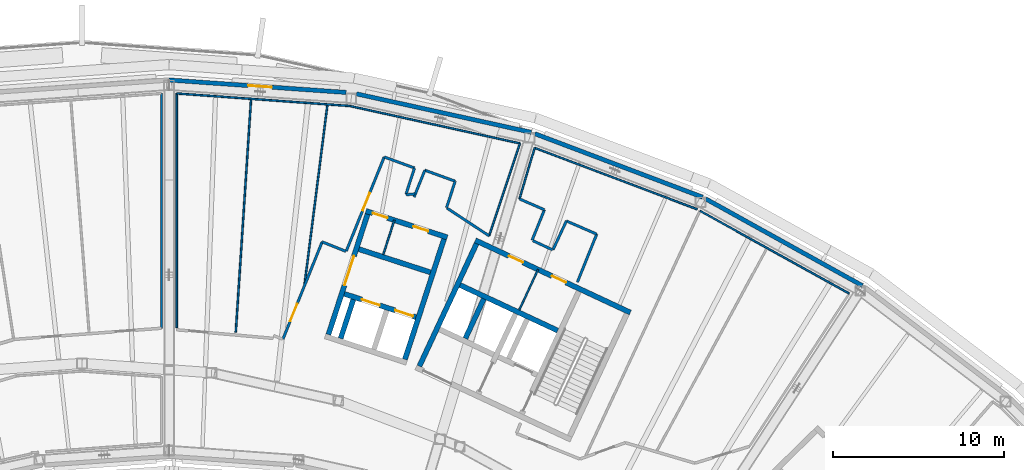
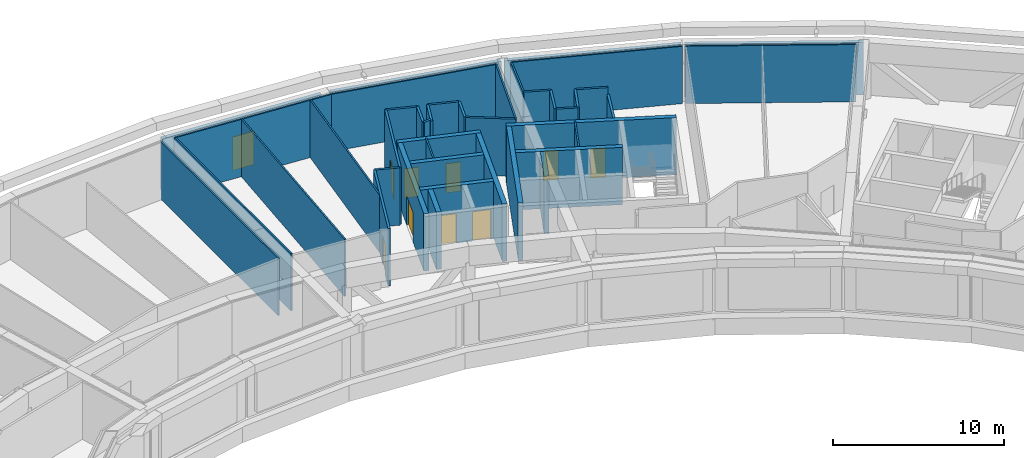
# One storey, part 11 of 24: 42 walls, 10 doors, 10 openings.
"""IFC4 building model written with IfcOpenShell, lengths in metres."""

from ifc_helpers import new_model, si_unit, direction, frame, frame_2d, origin, place, context, subcontext, project, spatial, rectangle, extrude, material, layer, layer_set, type_object, element, fill, save


model = new_model("IFC4")

# Units and contexts
model_context = context("Model", 3, precision=1e-05, world=origin(), true_north=direction((0.0, 1.0)))
body_context = subcontext(model_context, "Body", "Model", "MODEL_VIEW")
ifc_project = project(units=[si_unit("LENGTHUNIT", "METRE"), si_unit("AREAUNIT", "SQUARE_METRE"), si_unit("VOLUMEUNIT", "CUBIC_METRE"), si_unit("PLANEANGLEUNIT", "RADIAN"), si_unit("MASSUNIT", "GRAM", prefix="KILO")], contexts=[model_context])

# Site, building, storey
site_placement = place(None, origin())
site = spatial("IfcSite", under=ifc_project, at=site_placement, CompositionType="ELEMENT")
building_placement = place(site_placement, origin())
building = spatial("IfcBuilding", under=site, at=building_placement, Name="Tuul Gate Civic Tower", CompositionType="ELEMENT")
storey_placement = place(building_placement, frame((0.0, 0.0, 243.89990234375)))
storey = spatial("IfcBuildingStorey", under=building, at=storey_placement, Name="Plant and refuge floor 6", CompositionType="ELEMENT", Elevation=243.89990234375)

# Wall
ifc_material_1 = material(Name="Concrete C50/60", Category="concrete")
ifc_layer_1 = layer(ifc_material_1, 0.300048828125)
ifc_layer_set_1 = layer_set([ifc_layer_1], Name="Concrete C50/60")
wall_type_1 = type_object("IfcWallType", Name="Core wall C50/60", PredefinedType="SHEAR", material=ifc_layer_set_1)
wall_1_placement = place(storey_placement, frame((33.75, -0.873779296875, 0.0), z_axis=(0.0, 0.0, 1.0), x_axis=(-0.906300917592, 0.422632992999, 0.0)))
element("IfcWall", 1, at=wall_1_placement, inside=storey, type_object=wall_type_1, Name="Core wall", PredefinedType="SHEAR", context=body_context, shape_type="SweptSolid", body=[
    extrude(rectangle(XDim=6.300048828125, YDim=0.300048828125, at=frame_2d((3.14990234375, 0.0))), origin(), (0.0, 0.0, 1.0), 4.10009765625),
])

# Wall, openings, doors
wall_2_placement = place(storey_placement, frame((37.993408203125, 0.181884765625, 0.0), z_axis=(0.0, 0.0, 1.0), x_axis=(-0.906310338845, 0.422612789327, 0.0)))
wall_2 = element("IfcWall", 2, at=wall_2_placement, inside=storey, type_object=wall_type_1, Name="Core wall", PredefinedType="SHEAR", context=body_context, shape_type="SweptSolid", body=[
    extrude(rectangle(XDim=9.999755859375, YDim=0.300048828125, at=frame_2d((5.0, 0.0))), origin(), (0.0, 0.0, 1.0), 4.10009765625),
])
opening_1_placement = place(wall_2_placement, frame((4.14990234375, 0.0, 0.0)))
opening_1 = element("IfcOpeningElement", 3, at=opening_1_placement, cuts=wall_2, Name="Opening PB-D27", PredefinedType="OPENING", context=body_context, shape_type="SweptSolid", body=[
    extrude(rectangle(XDim=0.89990234375, YDim=2.10009765625, at=frame_2d((0.449951171875, 1.050048828125))), frame((0.0, 0.16015625, 0.0), z_axis=(0.0, -1.0, 0.0), x_axis=(1.0, 0.0, 0.0)), (0.0, 0.0, 1.0), 0.320068359375),
])
opening_2_placement = place(wall_2_placement, frame((6.925048828125, 0.0, 0.0)))
opening_2 = element("IfcOpeningElement", 4, at=opening_2_placement, cuts=wall_2, Name="Opening PB-D28", PredefinedType="OPENING", context=body_context, shape_type="SweptSolid", body=[
    extrude(rectangle(XDim=0.89990234375, YDim=2.10009765625, at=frame_2d((0.449951171875, 1.050048828125))), frame((0.0, 0.16015625, 0.0), z_axis=(0.0, -1.0, 0.0), x_axis=(1.0, 0.0, 0.0)), (0.0, 0.0, 1.0), 0.320068359375),
])
ifc_material_2 = material(Name="Timber door leaf", Category="wood")
door_type_1 = type_object("IfcDoorType", Name="Door D09", OperationType="NOTDEFINED", PredefinedType="DOOR", material=ifc_material_2)
door_1_placement = place(opening_1_placement, origin())
door_1 = element("IfcDoor", 5, at=door_1_placement, inside=storey, type_object=door_type_1, Name="Door PB-D27", OperationType="SINGLE_SWING_LEFT", OverallHeight=2.10009765625, OverallWidth=0.89990234375, PredefinedType="DOOR", context=body_context, shape_type="SweptSolid", body=[
    extrude(rectangle(XDim=0.89990234375, YDim=2.10009765625, at=frame_2d((0.449951171875, 1.050048828125))), frame((0.0, 0.02490234375, 0.0), z_axis=(0.0, -1.0, 0.0), x_axis=(1.0, 0.0, 0.0)), (0.0, 0.0, 1.0), 0.050048828125),
])
fill(opening_1, door_1)
door_2_placement = place(opening_2_placement, origin())
door_2 = element("IfcDoor", 6, at=door_2_placement, inside=storey, type_object=door_type_1, Name="Door PB-D28", OperationType="SINGLE_SWING_LEFT", OverallHeight=2.10009765625, OverallWidth=0.89990234375, PredefinedType="DOOR", context=body_context, shape_type="SweptSolid", body=[
    extrude(rectangle(XDim=0.89990234375, YDim=2.10009765625, at=frame_2d((0.449951171875, 1.050048828125))), frame((0.0, 0.02490234375, 0.0), z_axis=(0.0, -1.0, 0.0), x_axis=(1.0, 0.0, 0.0)), (0.0, 0.0, 1.0), 0.050048828125),
])
fill(opening_2, door_2)

# Walls
wall_3_placement = place(storey_placement, frame((28.349365234375, -1.33447265625, 0.0), z_axis=(0.0, 0.0, 1.0), x_axis=(0.422612891016, 0.906310291427, 0.0)))
element("IfcWall", 7, at=wall_3_placement, inside=storey, type_object=wall_type_1, Name="Core wall", PredefinedType="SHEAR", context=body_context, shape_type="SweptSolid", body=[
    extrude(rectangle(XDim=2.550048828125, YDim=0.300048828125, at=frame_2d((1.27490234375, 0.0))), origin(), (0.0, 0.0, 1.0), 4.10009765625),
])
wall_4_placement = place(storey_placement, frame((25.66455078125, -2.951416015625, 0.0), z_axis=(0.0, 0.0, 1.0), x_axis=(0.422582604137, 0.906324413596, 0.0)))
element("IfcWall", 8, at=wall_4_placement, inside=storey, type_object=wall_type_1, Name="Core wall", PredefinedType="SHEAR", context=body_context, shape_type="SweptSolid", body=[
    extrude(rectangle(XDim=7.89990234375, YDim=0.300048828125, at=frame_2d((3.949951171875, 0.0))), origin(), (0.0, 0.0, 1.0), 4.10009765625),
])
ifc_material_3 = material(Name="Gypsum board partition")
ifc_layer_2 = layer(ifc_material_3, 0.14990234375)
ifc_layer_set_2 = layer_set([ifc_layer_2], Name="Gypsum board partition")
wall_type_2 = type_object("IfcWallType", Name="Corridor wall P150", PredefinedType="PARTITIONING", material=ifc_layer_set_2)
wall_5_placement = place(storey_placement, frame((34.257080078125, 5.53564453125, 0.0), z_axis=(0.0, 0.0, 1.0), x_axis=(0.917244814441, -0.398323926448, 0.0)))
element("IfcWall", 9, at=wall_5_placement, inside=storey, type_object=wall_type_2, Name="p035", PredefinedType="PARTITIONING", context=body_context, shape_type="SweptSolid", body=[
    extrude(rectangle(XDim=1.931396484375, YDim=0.14990234375, at=frame_2d((0.9658203125, 0.0))), origin(), (0.0, 0.0, 1.0), 4.10009765625),
])
wall_6_placement = place(storey_placement, frame((33.4736328125, 3.85791015625, 0.0), z_axis=(0.0, 0.0, 1.0), x_axis=(0.422668797788, 0.906284219976, 0.0)))
element("IfcWall", 10, at=wall_6_placement, inside=storey, type_object=wall_type_2, Name="p036", PredefinedType="PARTITIONING", context=body_context, shape_type="SweptSolid", body=[
    extrude(rectangle(XDim=1.8505859375, YDim=0.14990234375, at=frame_2d((0.92529296875, 0.0))), origin(), (0.0, 0.0, 1.0), 4.10009765625),
])
wall_7_placement = place(storey_placement, frame((32.30322265625, 4.380615234375, 0.0), z_axis=(0.0, 0.0, 1.0), x_axis=(0.906400635072, -0.422419091356, 0.0)))
element("IfcWall", 11, at=wall_7_placement, inside=storey, type_object=wall_type_2, Name="p037", PredefinedType="PARTITIONING", context=body_context, shape_type="SweptSolid", body=[
    extrude(rectangle(XDim=1.260986328125, YDim=0.14990234375, at=frame_2d((0.63037109375, 0.0))), origin(), (0.0, 0.0, 1.0), 4.10009765625),
])
wall_8_placement = place(storey_placement, frame((32.253173828125, 4.41259765625, 0.0), z_axis=(0.0, 0.0, 1.0), x_axis=(0.373869435856, 0.92748134479, 0.0)))
element("IfcWall", 12, at=wall_8_placement, inside=storey, type_object=wall_type_2, Name="p038", PredefinedType="PARTITIONING", context=body_context, shape_type="SweptSolid", body=[
    extrude(rectangle(XDim=1.91796875, YDim=0.14990234375, at=frame_2d((0.958984375, 0.0))), origin(), (0.0, 0.0, 1.0), 4.10009765625),
])
wall_9_placement = place(storey_placement, frame((31.51220703125, 6.825439453125, 0.0), z_axis=(0.0, 0.0, 1.0), x_axis=(0.917275123751, -0.398254124081, 0.0)))
element("IfcWall", 13, at=wall_9_placement, inside=storey, type_object=wall_type_2, Name="p039", PredefinedType="PARTITIONING", context=body_context, shape_type="SweptSolid", body=[
    extrude(rectangle(XDim=1.5888671875, YDim=0.14990234375, at=frame_2d((0.79443359375, 0.0))), origin(), (0.0, 0.0, 1.0), 4.10009765625),
])
wall_10_placement = place(storey_placement, frame((27.253173828125, 6.3193359375, 0.0), z_axis=(0.0, 0.0, 1.0), x_axis=(0.308980368532, 0.951068415973, 0.0)))
element("IfcWall", 14, at=wall_10_placement, inside=storey, type_object=wall_type_2, Name="p041", PredefinedType="PARTITIONING", context=body_context, shape_type="SweptSolid", body=[
    extrude(rectangle(XDim=1.618896484375, YDim=0.14990234375, at=frame_2d((0.8095703125, 0.0))), origin(), (0.0, 0.0, 1.0), 4.10009765625),
])
wall_11_placement = place(storey_placement, frame((25.984130859375, 8.50341796875, 0.0), z_axis=(0.0, 0.0, 1.0), x_axis=(0.939800999029, -0.34172222963, 0.0)))
element("IfcWall", 15, at=wall_11_placement, inside=storey, type_object=wall_type_2, Name="p042", PredefinedType="PARTITIONING", context=body_context, shape_type="SweptSolid", body=[
    extrude(rectangle(XDim=1.8818359375, YDim=0.14990234375, at=frame_2d((0.94091796875, 0.0))), origin(), (0.0, 0.0, 1.0), 4.10009765625),
])
wall_12_placement = place(storey_placement, frame((25.351318359375, 6.935791015625, 0.0), z_axis=(0.0, 0.0, 1.0), x_axis=(0.373856059232, 0.927486736819, 0.0)))
element("IfcWall", 16, at=wall_12_placement, inside=storey, type_object=wall_type_2, Name="p043", PredefinedType="PARTITIONING", context=body_context, shape_type="SweptSolid", body=[
    extrude(rectangle(XDim=1.689453125, YDim=0.14990234375, at=frame_2d((0.8447265625, 0.0))), origin(), (0.0, 0.0, 1.0), 4.10009765625),
])
wall_13_placement = place(storey_placement, frame((24.888427734375, 7.065673828125, 0.0), z_axis=(0.0, 0.0, 1.0), x_axis=(0.994438264269, 0.105321121133, 0.0)))
element("IfcWall", 17, at=wall_13_placement, inside=storey, type_object=wall_type_2, Name="p044", PredefinedType="PARTITIONING", context=body_context, shape_type="SweptSolid", body=[
    extrude(rectangle(XDim=0.519287109375, YDim=0.14990234375, at=frame_2d((0.259765625, 0.0))), origin(), (0.0, 0.0, 1.0), 4.10009765625),
])
wall_14_placement = place(storey_placement, frame((27.266357421875, 6.293212890625, 0.0), z_axis=(0.0, 0.0, 1.0), x_axis=(0.835462956672, -0.549546766007, 0.0)))
element("IfcWall", 18, at=wall_14_placement, inside=storey, type_object=wall_type_2, Name="p045", PredefinedType="PARTITIONING", context=body_context, shape_type="SweptSolid", body=[
    extrude(rectangle(XDim=2.957763671875, YDim=0.14990234375, at=frame_2d((1.47900390625, 0.0))), origin(), (0.0, 0.0, 1.0), 4.10009765625),
])
wall_15_placement = place(storey_placement, frame((24.875244140625, 7.091796875, 0.0), z_axis=(0.0, 0.0, 1.0), x_axis=(0.308936061508, 0.951082809171, 0.0)))
element("IfcWall", 19, at=wall_15_placement, inside=storey, type_object=wall_type_2, Name="p046", PredefinedType="PARTITIONING", context=body_context, shape_type="SweptSolid", body=[
    extrude(rectangle(XDim=1.619140625, YDim=0.14990234375, at=frame_2d((0.8095703125, 0.0))), origin(), (0.0, 0.0, 1.0), 4.10009765625),
])
wall_16_placement = place(storey_placement, frame((23.6064453125, 9.27587890625, 0.0), z_axis=(0.0, 0.0, 1.0), x_axis=(0.939827515452, -0.341649295621, 0.0)))
element("IfcWall", 20, at=wall_16_placement, inside=storey, type_object=wall_type_2, Name="p047", PredefinedType="PARTITIONING", context=body_context, shape_type="SweptSolid", body=[
    extrude(rectangle(XDim=1.881591796875, YDim=0.14990234375, at=frame_2d((0.94091796875, 0.0))), origin(), (0.0, 0.0, 1.0), 4.10009765625),
])

# Wall, opening, door
wall_17_placement = place(storey_placement, frame((21.3876953125, 3.7744140625, 0.0), z_axis=(0.0, 0.0, 1.0), x_axis=(0.373880389975, 0.927476929089, 0.0)))
wall_17 = element("IfcWall", 21, at=wall_17_placement, inside=storey, type_object=wall_type_2, Name="p048", PredefinedType="PARTITIONING", context=body_context, shape_type="SweptSolid", body=[
    extrude(rectangle(XDim=5.93115234375, YDim=0.14990234375, at=frame_2d((2.965576171875, 0.0))), origin(), (0.0, 0.0, 1.0), 4.10009765625),
])
opening_3_placement = place(wall_17_placement, frame((2.56591796875, 0.0, 0.0)))
opening_3 = element("IfcOpeningElement", 22, at=opening_3_placement, cuts=wall_17, Name="Opening PB-D09", PredefinedType="OPENING", context=body_context, shape_type="SweptSolid", body=[
    extrude(rectangle(XDim=1.10009765625, YDim=2.10009765625, at=frame_2d((0.550048828125, 1.050048828125))), frame((0.0, 0.0849609375, 0.0), z_axis=(0.0, -1.0, 0.0), x_axis=(1.0, 0.0, 0.0)), (0.0, 0.0, 1.0), 0.169921875),
])
ifc_material_4 = material(Name="Timber door leaf", Category="wood")
door_type_2 = type_object("IfcDoorType", Name="Door D11", OperationType="NOTDEFINED", PredefinedType="DOOR", material=ifc_material_4)
door_3_placement = place(opening_3_placement, origin())
door_3 = element("IfcDoor", 23, at=door_3_placement, inside=storey, type_object=door_type_2, Name="Door PB-D09", OperationType="SINGLE_SWING_RIGHT", OverallHeight=2.10009765625, OverallWidth=1.10009765625, PredefinedType="DOOR", context=body_context, shape_type="SweptSolid", body=[
    extrude(rectangle(XDim=1.10009765625, YDim=2.10009765625, at=frame_2d((0.550048828125, 1.050048828125))), frame((0.0, 0.02490234375, 0.0), z_axis=(0.0, -1.0, 0.0), x_axis=(1.0, 0.0, 0.0)), (0.0, 0.0, 1.0), 0.050048828125),
])
fill(opening_3, door_3)

# Wall
wall_18_placement = place(storey_placement, frame((19.978271484375, 4.315185546875, 0.0), z_axis=(0.0, 0.0, 1.0), x_axis=(0.928578450258, -0.371136176781, 0.0)))
element("IfcWall", 24, at=wall_18_placement, inside=storey, type_object=wall_type_2, Name="p049", PredefinedType="PARTITIONING", context=body_context, shape_type="SweptSolid", body=[
    extrude(rectangle(XDim=1.488525390625, YDim=0.14990234375, at=frame_2d((0.744140625, 0.0))), origin(), (0.0, 0.0, 1.0), 4.10009765625),
])

# Wall, opening, door
wall_19_placement = place(storey_placement, frame((17.68896484375, -1.36328125, 0.0), z_axis=(0.0, 0.0, 1.0), x_axis=(0.373782416079, 0.927516417876, 0.0)))
wall_19 = element("IfcWall", 25, at=wall_19_placement, inside=storey, type_object=wall_type_2, Name="p050", PredefinedType="PARTITIONING", context=body_context, shape_type="SweptSolid", body=[
    extrude(rectangle(XDim=6.121337890625, YDim=0.14990234375, at=frame_2d((3.060546875, 0.0))), origin(), (0.0, 0.0, 1.0), 4.10009765625),
])
opening_4_placement = place(wall_19_placement, frame((1.122314453125, 0.0, 0.0)))
opening_4 = element("IfcOpeningElement", 26, at=opening_4_placement, cuts=wall_19, Name="Opening PB-D10", PredefinedType="OPENING", context=body_context, shape_type="SweptSolid", body=[
    extrude(rectangle(XDim=1.10009765625, YDim=2.10009765625, at=frame_2d((0.550048828125, 1.050048828125))), frame((0.0, 0.0849609375, 0.0), z_axis=(0.0, -1.0, 0.0), x_axis=(1.0, 0.0, 0.0)), (0.0, 0.0, 1.0), 0.169921875),
])
door_4_placement = place(opening_4_placement, origin())
door_4 = element("IfcDoor", 27, at=door_4_placement, inside=storey, type_object=door_type_2, Name="Door PB-D10", OperationType="SINGLE_SWING_LEFT", OverallHeight=2.10009765625, OverallWidth=1.10009765625, PredefinedType="DOOR", context=body_context, shape_type="SweptSolid", body=[
    extrude(rectangle(XDim=1.10009765625, YDim=2.10009765625, at=frame_2d((0.550048828125, 1.050048828125))), frame((0.0, 0.02490234375, 0.0), z_axis=(0.0, -1.0, 0.0), x_axis=(1.0, 0.0, 0.0)), (0.0, 0.0, 1.0), 0.050048828125),
])
fill(opening_4, door_4)

# Walls
ifc_material_5 = material(Name="Gypsum board partition")
ifc_layer_3 = layer(ifc_material_5, 0.14990234375)
ifc_layer_set_3 = layer_set([ifc_layer_3], Name="Gypsum board partition")
wall_type_3 = type_object("IfcWallType", Name="Corridor wall P150 3600 HIGH", PredefinedType="PARTITIONING", material=ifc_layer_set_3)
wall_20_placement = place(storey_placement, frame((34.8974609375, 1.957763671875, 0.0), z_axis=(0.0, 0.0, 1.0), x_axis=(0.373878807084, 0.927477567175, 0.0)))
element("IfcWall", 28, at=wall_20_placement, inside=storey, type_object=wall_type_3, Name="p034", PredefinedType="PARTITIONING", context=body_context, shape_type="SweptSolid", body=[
    extrude(rectangle(XDim=3.026611328125, YDim=0.14990234375, at=frame_2d((1.51318359375, 0.0))), origin(), (0.0, 0.0, 1.0), 3.60009765625),
])
ifc_material_6 = material(Name="Precast concrete C40/50", Category="concrete")
ifc_layer_4 = layer(ifc_material_6, 0.25)
ifc_layer_set_4 = layer_set([ifc_layer_4], Name="Precast concrete C40/50")
wall_type_4 = type_object("IfcWallType", Name="External wall", PredefinedType="STANDARD", material=ifc_layer_set_4)
wall_21_placement = place(storey_placement, frame((51.56103515625, 1.751953125, 0.0), z_axis=(0.0, 0.0, 1.0), x_axis=(-0.874629377912, 0.4847921733, 0.0)))
element("IfcWall", 29, at=wall_21_placement, inside=storey, type_object=wall_type_4, Name="External wall", PredefinedType="STANDARD", context=body_context, shape_type="SweptSolid", body=[
    extrude(rectangle(XDim=10.47998046875, YDim=0.25, at=frame_2d((5.239990234375, 0.0))), origin(), (0.0, 0.0, 1.0), 3.75),
])
wall_22_placement = place(storey_placement, frame((42.21875, 6.927978515625, 0.0), z_axis=(0.0, 0.0, 1.0), x_axis=(-0.935341215918, 0.353746815964, 0.0)))
element("IfcWall", 30, at=wall_22_placement, inside=storey, type_object=wall_type_4, Name="External wall", PredefinedType="STANDARD", context=body_context, shape_type="SweptSolid", body=[
    extrude(rectangle(XDim=10.489013671875, YDim=0.25, at=frame_2d((5.24462890625, 0.0))), origin(), (0.0, 0.0, 1.0), 3.75),
])
wall_23_placement = place(storey_placement, frame((32.202392578125, 10.71630859375, 0.0), z_axis=(0.0, 0.0, 1.0), x_axis=(-0.976564231464, 0.215226164361, 0.0)))
element("IfcWall", 31, at=wall_23_placement, inside=storey, type_object=wall_type_4, Name="External wall", PredefinedType="STANDARD", context=body_context, shape_type="SweptSolid", body=[
    extrude(rectangle(XDim=10.4677734375, YDim=0.25, at=frame_2d((5.23388671875, 0.0))), origin(), (0.0, 0.0, 1.0), 3.75),
])

# Wall, opening, door
wall_24_placement = place(storey_placement, frame((21.38330078125, 13.0498046875, 0.0), z_axis=(0.0, 0.0, 1.0), x_axis=(-0.997539608271, 0.070105134841, 0.0)))
wall_24 = element("IfcWall", 32, at=wall_24_placement, inside=storey, type_object=wall_type_4, Name="External wall", PredefinedType="STANDARD", context=body_context, shape_type="SweptSolid", body=[
    extrude(rectangle(XDim=10.3779296875, YDim=0.25, at=frame_2d((5.18896484375, 0.0))), origin(), (0.0, 0.0, 1.0), 3.75),
])
opening_5_placement = place(wall_24_placement, frame((4.35302734375, 0.0, 0.0)))
opening_5 = element("IfcOpeningElement", 33, at=opening_5_placement, cuts=wall_24, Name="Opening TD", PredefinedType="OPENING", context=body_context, shape_type="SweptSolid", body=[
    extrude(rectangle(XDim=1.39990234375, YDim=2.39990234375, at=frame_2d((0.699951171875, 1.199951171875))), frame((0.0, 0.135009765625, 0.0), z_axis=(0.0, -1.0, 0.0), x_axis=(1.0, 0.0, 0.0)), (0.0, 0.0, 1.0), 0.27001953125),
])
ifc_material_7 = material(Name="Glazed aluminium", Category="aluminium")
door_type_3 = type_object("IfcDoorType", Name="Terrace door", OperationType="DOUBLE_DOOR_SINGLE_SWING", PredefinedType="DOOR", material=ifc_material_7)
door_5_placement = place(opening_5_placement, frame((1.39990234375, 0.0, 0.0), z_axis=(0.0, 0.0, 1.0), x_axis=(-1.0, 0.0, 0.0)))
door_5 = element("IfcDoor", 34, at=door_5_placement, inside=storey, type_object=door_type_3, Name="Terrace door", OperationType="DOUBLE_DOOR_SINGLE_SWING", OverallHeight=2.39990234375, OverallWidth=1.39990234375, PredefinedType="DOOR", context=body_context, shape_type="SweptSolid", body=[
    extrude(rectangle(XDim=1.39990234375, YDim=2.39990234375, at=frame_2d((0.699951171875, 1.199951171875))), frame((0.0, 0.02490234375, 0.0), z_axis=(0.0, -1.0, 0.0), x_axis=(1.0, 0.0, 0.0)), (0.0, 0.0, 1.0), 0.050048828125),
])
fill(opening_5, door_5)

# Wall, openings, doors
ifc_material_8 = material(Name="Concrete C40/50", Category="concrete")
ifc_layer_5 = layer(ifc_material_8, 0.300048828125)
ifc_layer_set_5 = layer_set([ifc_layer_5], Name="Concrete C40/50")
wall_type_5 = type_object("IfcWallType", Name="Lift shaft wall C40/50", PredefinedType="STANDARD", material=ifc_layer_set_5)
wall_25_placement = place(storey_placement, frame((25.460693359375, -0.0859375, 0.0), z_axis=(0.0, 0.0, 1.0), x_axis=(-0.951063829732, 0.308994485023, 0.0)))
wall_25 = element("IfcWall", 35, at=wall_25_placement, inside=storey, type_object=wall_type_5, Name="Shaft wall", PredefinedType="STANDARD", context=body_context, shape_type="SweptSolid", body=[
    extrude(rectangle(XDim=4.400146484375, YDim=0.300048828125, at=frame_2d((2.2001953125, 0.0))), origin(), (0.0, 0.0, 1.0), 4.10009765625),
])
opening_6_placement = place(wall_25_placement, frame((0.175048828125, 0.0, 0.0)))
opening_6 = element("IfcOpeningElement", 36, at=opening_6_placement, cuts=wall_25, Name="Opening LD-H2", PredefinedType="OPENING", context=body_context, shape_type="SweptSolid", body=[
    extrude(rectangle(XDim=1.10009765625, YDim=2.10009765625, at=frame_2d((0.550048828125, 1.050048828125))), frame((0.0, 0.16015625, 0.0), z_axis=(0.0, -1.0, 0.0), x_axis=(1.0, 0.0, 0.0)), (0.0, 0.0, 1.0), 0.320068359375),
])
opening_7_placement = place(wall_25_placement, frame((2.22509765625, 0.0, 0.0)))
opening_7 = element("IfcOpeningElement", 37, at=opening_7_placement, cuts=wall_25, Name="Opening LD-H3", PredefinedType="OPENING", context=body_context, shape_type="SweptSolid", body=[
    extrude(rectangle(XDim=1.10009765625, YDim=2.10009765625, at=frame_2d((0.550048828125, 1.050048828125))), frame((0.0, 0.16015625, 0.0), z_axis=(0.0, -1.0, 0.0), x_axis=(1.0, 0.0, 0.0)), (0.0, 0.0, 1.0), 0.320068359375),
])
ifc_material_9 = material(Name="Stainless steel", Category="steel")
door_type_4 = type_object("IfcDoorType", Name="Landing door", OperationType="DOUBLE_DOOR_SLIDING", PredefinedType="DOOR", material=ifc_material_9)
door_6_placement = place(opening_6_placement, origin())
door_6 = element("IfcDoor", 38, at=door_6_placement, inside=storey, type_object=door_type_4, Name="High-rise lift H2 landing door", OperationType="DOUBLE_DOOR_SLIDING", OverallHeight=2.10009765625, OverallWidth=1.10009765625, PredefinedType="DOOR", context=body_context, shape_type="SweptSolid", body=[
    extrude(rectangle(XDim=1.10009765625, YDim=2.10009765625, at=frame_2d((0.550048828125, 1.050048828125))), frame((0.0, 0.02490234375, 0.0), z_axis=(0.0, -1.0, 0.0), x_axis=(1.0, 0.0, 0.0)), (0.0, 0.0, 1.0), 0.050048828125),
])
fill(opening_6, door_6)
door_7_placement = place(opening_7_placement, origin())
door_7 = element("IfcDoor", 39, at=door_7_placement, inside=storey, type_object=door_type_4, Name="High-rise lift H3 landing door", OperationType="DOUBLE_DOOR_SLIDING", OverallHeight=2.10009765625, OverallWidth=1.10009765625, PredefinedType="DOOR", context=body_context, shape_type="SweptSolid", body=[
    extrude(rectangle(XDim=1.10009765625, YDim=2.10009765625, at=frame_2d((0.550048828125, 1.050048828125))), frame((0.0, 0.02490234375, 0.0), z_axis=(0.0, -1.0, 0.0), x_axis=(1.0, 0.0, 0.0)), (0.0, 0.0, 1.0), 0.050048828125),
])
fill(opening_7, door_7)

# Wall
wall_26_placement = place(storey_placement, frame((26.310546875, 2.529541015625, 0.0), z_axis=(0.0, 0.0, 1.0), x_axis=(-0.951058531764, 0.30901079133, 0.0)))
element("IfcWall", 40, at=wall_26_placement, inside=storey, type_object=wall_type_5, Name="Shaft wall", PredefinedType="STANDARD", context=body_context, shape_type="SweptSolid", body=[
    extrude(rectangle(XDim=4.39990234375, YDim=0.300048828125, at=frame_2d((2.199951171875, 0.0))), origin(), (0.0, 0.0, 1.0), 4.10009765625),
])

# Wall, openings, doors
wall_27_placement = place(storey_placement, frame((27.29150390625, 4.57666015625, 0.0), z_axis=(0.0, 0.0, 1.0), x_axis=(-0.951067792613, 0.308982287281, 0.0)))
wall_27 = element("IfcWall", 41, at=wall_27_placement, inside=storey, type_object=wall_type_5, Name="Shaft wall", PredefinedType="STANDARD", context=body_context, shape_type="SweptSolid", body=[
    extrude(rectangle(XDim=5.0, YDim=0.300048828125, at=frame_2d((2.5, 0.0))), origin(), (0.0, 0.0, 1.0), 4.10009765625),
])
opening_8_placement = place(wall_27_placement, frame((1.175048828125, 0.0, 0.0)))
opening_8 = element("IfcOpeningElement", 42, at=opening_8_placement, cuts=wall_27, Name="Opening PB-D29", PredefinedType="OPENING", context=body_context, shape_type="SweptSolid", body=[
    extrude(rectangle(XDim=0.89990234375, YDim=2.10009765625, at=frame_2d((0.449951171875, 1.050048828125))), frame((0.0, 0.16015625, 0.0), z_axis=(0.0, -1.0, 0.0), x_axis=(1.0, 0.0, 0.0)), (0.0, 0.0, 1.0), 0.320068359375),
])
opening_9_placement = place(wall_27_placement, frame((3.675048828125, 0.0, 0.0)))
opening_9 = element("IfcOpeningElement", 43, at=opening_9_placement, cuts=wall_27, Name="Opening PB-D30", PredefinedType="OPENING", context=body_context, shape_type="SweptSolid", body=[
    extrude(rectangle(XDim=0.89990234375, YDim=2.10009765625, at=frame_2d((0.449951171875, 1.050048828125))), frame((0.0, 0.16015625, 0.0), z_axis=(0.0, -1.0, 0.0), x_axis=(1.0, 0.0, 0.0)), (0.0, 0.0, 1.0), 0.320068359375),
])
door_8_placement = place(opening_8_placement, origin())
door_8 = element("IfcDoor", 44, at=door_8_placement, inside=storey, type_object=door_type_1, Name="Door PB-D29", OperationType="SINGLE_SWING_LEFT", OverallHeight=2.10009765625, OverallWidth=0.89990234375, PredefinedType="DOOR", context=body_context, shape_type="SweptSolid", body=[
    extrude(rectangle(XDim=0.89990234375, YDim=2.10009765625, at=frame_2d((0.449951171875, 1.050048828125))), frame((0.0, 0.02490234375, 0.0), z_axis=(0.0, -1.0, 0.0), x_axis=(1.0, 0.0, 0.0)), (0.0, 0.0, 1.0), 0.050048828125),
])
fill(opening_8, door_8)
door_9_placement = place(opening_9_placement, origin())
door_9 = element("IfcDoor", 45, at=door_9_placement, inside=storey, type_object=door_type_1, Name="Door PB-D30", OperationType="SINGLE_SWING_RIGHT", OverallHeight=2.10009765625, OverallWidth=0.89990234375, PredefinedType="DOOR", context=body_context, shape_type="SweptSolid", body=[
    extrude(rectangle(XDim=0.89990234375, YDim=2.10009765625, at=frame_2d((0.449951171875, 1.050048828125))), frame((0.0, 0.02490234375, 0.0), z_axis=(0.0, -1.0, 0.0), x_axis=(1.0, 0.0, 0.0)), (0.0, 0.0, 1.0), 0.050048828125),
])
fill(opening_9, door_9)

# Walls
wall_28_placement = place(storey_placement, frame((24.815185546875, -2.557373046875, 0.0), z_axis=(0.0, 0.0, 1.0), x_axis=(0.30907264409, 0.951038432807, 0.0)))
element("IfcWall", 46, at=wall_28_placement, inside=storey, type_object=wall_type_5, Name="Shaft wall", PredefinedType="STANDARD", context=body_context, shape_type="SweptSolid", body=[
    extrude(rectangle(XDim=7.39990234375, YDim=0.300048828125, at=frame_2d((3.699951171875, 0.0))), origin(), (0.0, 0.0, 1.0), 4.10009765625),
])
wall_29_placement = place(storey_placement, frame((21.058349609375, -1.336669921875, 0.0), z_axis=(0.0, 0.0, 1.0), x_axis=(0.309138975195, 0.951016873675, 0.0)))
element("IfcWall", 47, at=wall_29_placement, inside=storey, type_object=wall_type_5, Name="Shaft wall", PredefinedType="STANDARD", context=body_context, shape_type="SweptSolid", body=[
    extrude(rectangle(XDim=2.400146484375, YDim=0.300048828125, at=frame_2d((1.2001953125, 0.0))), origin(), (0.0, 0.0, 1.0), 4.10009765625),
])

# Wall, opening, door
wall_30_placement = place(storey_placement, frame((20.34521484375, -1.10498046875, 0.0), z_axis=(0.0, 0.0, 1.0), x_axis=(0.30907264409, 0.951038432807, 0.0)))
wall_30 = element("IfcWall", 48, at=wall_30_placement, inside=storey, type_object=wall_type_5, Name="Shaft wall", PredefinedType="STANDARD", context=body_context, shape_type="SweptSolid", body=[
    extrude(rectangle(XDim=7.39990234375, YDim=0.300048828125, at=frame_2d((3.699951171875, 0.0))), origin(), (0.0, 0.0, 1.0), 4.10009765625),
])
opening_10_placement = place(wall_30_placement, frame((3.02490234375, 0.0, 0.0)))
opening_10 = element("IfcOpeningElement", 49, at=opening_10_placement, cuts=wall_30, Name="Opening LB-E4-LOBBY-1", PredefinedType="OPENING", context=body_context, shape_type="SweptSolid", body=[
    extrude(rectangle(XDim=1.800048828125, YDim=2.10009765625, at=frame_2d((0.89990234375, 1.050048828125))), frame((0.0, 0.16015625, 0.0), z_axis=(0.0, -1.0, 0.0), x_axis=(1.0, 0.0, 0.0)), (0.0, 0.0, 1.0), 0.320068359375),
])
ifc_material_10 = material(Name="Steel", Category="steel")
door_type_5 = type_object("IfcDoorType", Name="Lobby door", OperationType="DOUBLE_DOOR_SINGLE_SWING", PredefinedType="DOOR", material=ifc_material_10)
door_10_placement = place(opening_10_placement, frame((1.800048828125, 0.0, 0.0), z_axis=(0.0, 0.0, 1.0), x_axis=(-1.0, 0.0, 0.0)))
door_10 = element("IfcDoor", 50, at=door_10_placement, inside=storey, type_object=door_type_5, Name="Lobby door E4-LOBBY", OperationType="DOUBLE_DOOR_SINGLE_SWING", OverallHeight=2.10009765625, OverallWidth=1.800048828125, PredefinedType="DOOR", context=body_context, shape_type="SweptSolid", body=[
    extrude(rectangle(XDim=1.800048828125, YDim=2.10009765625, at=frame_2d((0.900146484375, 1.050048828125))), frame((0.0, 0.02490234375, 0.0), z_axis=(0.0, -1.0, 0.0), x_axis=(1.0, 0.0, 0.0)), (0.0, 0.0, 1.0), 0.050048828125),
])
fill(opening_10, door_10)

# Walls
ifc_material_11 = material(Name="Gypsum board partition")
ifc_layer_6 = layer(ifc_material_11, 0.10009765625)
ifc_layer_set_6 = layer_set([ifc_layer_6], Name="Gypsum board partition")
wall_type_6 = type_object("IfcWallType", Name="Partition P100", PredefinedType="PARTITIONING", material=ifc_layer_set_6)
wall_31_placement = place(storey_placement, frame((18.9453125, 1.788330078125, 0.0), z_axis=(0.0, 0.0, 1.0), x_axis=(0.126204237443, 0.992004279452, 0.0)))
element("IfcWall", 51, at=wall_31_placement, inside=storey, type_object=wall_type_6, Name="p040", PredefinedType="PARTITIONING", context=body_context, shape_type="SweptSolid", body=[
    extrude(rectangle(XDim=10.6494140625, YDim=0.10009765625, at=frame_2d((5.32470703125, 0.0))), origin(), (0.0, 0.0, 1.0), 4.10009765625),
])
wall_32_placement = place(storey_placement, frame((14.927001953125, -0.98046875, 0.0), z_axis=(0.0, 0.0, 1.0), x_axis=(0.065398881458, 0.997859201643, 0.0)))
element("IfcWall", 52, at=wall_32_placement, inside=storey, type_object=wall_type_6, Name="p051", PredefinedType="PARTITIONING", context=body_context, shape_type="SweptSolid", body=[
    extrude(rectangle(XDim=13.685546875, YDim=0.10009765625, at=frame_2d((6.8427734375, 0.0))), origin(), (0.0, 0.0, 1.0), 4.10009765625),
])
wall_33_placement = place(storey_placement, frame((42.065673828125, 6.1298828125, 0.0), z_axis=(0.0, 0.0, 1.0), x_axis=(0.874620891219, -0.484807484104, 0.0)))
element("IfcWall", 53, at=wall_33_placement, inside=storey, type_object=wall_type_6, Name="p087", PredefinedType="PARTITIONING", context=body_context, shape_type="SweptSolid", body=[
    extrude(rectangle(XDim=9.97705078125, YDim=0.10009765625, at=frame_2d((4.988525390625, 0.0))), origin(), (0.0, 0.0, 1.0), 4.10009765625),
])
wall_34_placement = place(storey_placement, frame((31.51220703125, 6.825439453125, 0.0), z_axis=(0.0, 0.0, 1.0), x_axis=(0.285256164446, 0.958451313654, 0.0)))
element("IfcWall", 54, at=wall_34_placement, inside=storey, type_object=wall_type_6, Name="p090", PredefinedType="PARTITIONING", context=body_context, shape_type="SweptSolid", body=[
    extrude(rectangle(XDim=3.116943359375, YDim=0.10009765625, at=frame_2d((1.55859375, 0.0))), origin(), (0.0, 0.0, 1.0), 4.10009765625),
])
wall_35_placement = place(storey_placement, frame((32.4013671875, 9.81298828125, 0.0), z_axis=(0.0, 0.0, 1.0), x_axis=(0.93533804833, -0.353755191265, 0.0)))
element("IfcWall", 55, at=wall_35_placement, inside=storey, type_object=wall_type_6, Name="p091", PredefinedType="PARTITIONING", context=body_context, shape_type="SweptSolid", body=[
    extrude(rectangle(XDim=10.160888671875, YDim=0.10009765625, at=frame_2d((5.08056640625, 0.0))), origin(), (0.0, 0.0, 1.0), 4.10009765625),
])
wall_36_placement = place(storey_placement, frame((11.48095703125, 12.990234375, 0.0), z_axis=(0.0, 0.0, 1.0), x_axis=(0.997389814111, -0.072204977027, 0.0)))
element("IfcWall", 56, at=wall_36_placement, inside=storey, type_object=wall_type_6, Name="p092", PredefinedType="PARTITIONING", context=body_context, shape_type="SweptSolid", body=[
    extrude(rectangle(XDim=10.16064453125, YDim=0.10009765625, at=frame_2d((5.080322265625, 0.0))), origin(), (0.0, 0.0, 1.0), 4.10009765625),
])
wall_37_placement = place(storey_placement, frame((21.614990234375, 12.256591796875, 0.0), z_axis=(0.0, 0.0, 1.0), x_axis=(0.976566562111, -0.215215589042, 0.0)))
element("IfcWall", 57, at=wall_37_placement, inside=storey, type_object=wall_type_6, Name="p093", PredefinedType="PARTITIONING", context=body_context, shape_type="SweptSolid", body=[
    extrude(rectangle(XDim=10.161865234375, YDim=0.10009765625, at=frame_2d((5.0810546875, 0.0))), origin(), (0.0, 0.0, 1.0), 4.10009765625),
])
wall_38_placement = place(storey_placement, frame((31.538818359375, 10.069580078125, 0.0), z_axis=(0.0, 0.0, 1.0), x_axis=(-0.316330663803, -0.948648992588, 0.0)))
element("IfcWall", 58, at=wall_38_placement, inside=storey, type_object=wall_type_6, Name="p094", PredefinedType="PARTITIONING", context=body_context, shape_type="SweptSolid", body=[
    extrude(rectangle(XDim=5.6943359375, YDim=0.10009765625, at=frame_2d((2.84716796875, 0.0))), origin(), (0.0, 0.0, 1.0), 4.10009765625),
])
wall_39_placement = place(storey_placement, frame((11.48095703125, -0.696533203125, 0.0), z_axis=(0.0, 0.0, 1.0), x_axis=(0.0, 1.0, 0.0)))
element("IfcWall", 59, at=wall_39_placement, inside=storey, type_object=wall_type_6, Name="p096", PredefinedType="PARTITIONING", context=body_context, shape_type="SweptSolid", body=[
    extrude(rectangle(XDim=13.686767578125, YDim=0.10009765625, at=frame_2d((6.84326171875, 0.0))), origin(), (0.0, 0.0, 1.0), 4.10009765625),
])
wall_40_placement = place(storey_placement, frame((10.5810546875, 12.990234375, 0.0), z_axis=(0.0, 0.0, 1.0), x_axis=(0.0, -1.0, 0.0)))
element("IfcWall", 60, at=wall_40_placement, inside=storey, type_object=wall_type_6, Name="p106", PredefinedType="PARTITIONING", context=body_context, shape_type="SweptSolid", body=[
    extrude(rectangle(XDim=13.724853515625, YDim=0.10009765625, at=frame_2d((6.8623046875, 0.0))), origin(), (0.0, 0.0, 1.0), 4.10009765625),
])
wall_41_placement = place(storey_placement, frame((31.502197265625, 0.33984375, 0.0), z_axis=(0.0, 0.0, 1.0), x_axis=(0.422556439746, 0.906336612539, 0.0)))
element("IfcWall", 61, at=wall_41_placement, inside=storey, type_object=wall_type_6, Name="bE3-BAND-0", PredefinedType="PARTITIONING", context=body_context, shape_type="SweptSolid", body=[
    extrude(rectangle(XDim=2.599853515625, YDim=0.10009765625, at=frame_2d((1.2998046875, 0.0))), origin(), (0.0, 0.0, 1.0), 4.10009765625),
])
wall_42_placement = place(storey_placement, frame((23.551513671875, 3.583740234375, 0.0), z_axis=(0.0, 0.0, 1.0), x_axis=(0.309033492816, 0.951051155468, 0.0)))
element("IfcWall", 62, at=wall_42_placement, inside=storey, type_object=wall_type_6, Name="bE4-BAND-0", PredefinedType="PARTITIONING", context=body_context, shape_type="SweptSolid", body=[
    extrude(rectangle(XDim=2.099853515625, YDim=0.10009765625, at=frame_2d((1.0498046875, 0.0))), origin(), (0.0, 0.0, 1.0), 4.10009765625),
])

save(model, "model.ifc")
